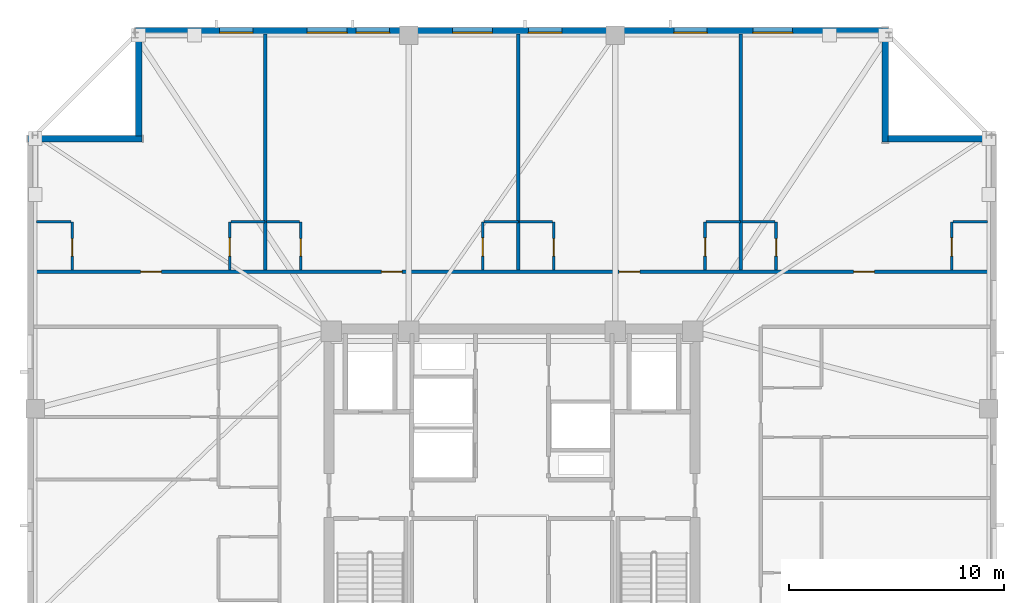
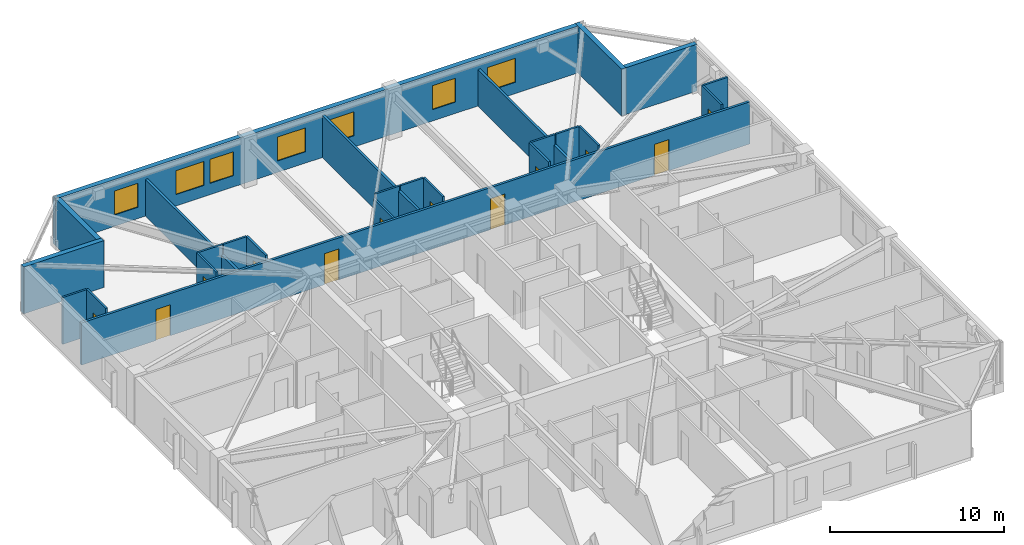
# One storey, part 11 of 17: 25 walls, 12 doors, 7 windows, 19 openings.
"""IFC4 building model written with IfcOpenShell, lengths in metres."""

from ifc_helpers import new_model, si_unit, direction, frame, frame_2d, origin, place, context, subcontext, project, spatial, rectangle, extrude, material, layer, layer_set, type_object, element, fill, save


model = new_model("IFC4")

# Units and contexts
model_context = context("Model", 3, precision=1e-05, world=origin(), true_north=direction((0.0, 1.0)))
body_context = subcontext(model_context, "Body", "Model", "MODEL_VIEW")
ifc_project = project(units=[si_unit("LENGTHUNIT", "METRE"), si_unit("AREAUNIT", "SQUARE_METRE"), si_unit("VOLUMEUNIT", "CUBIC_METRE"), si_unit("PLANEANGLEUNIT", "RADIAN"), si_unit("MASSUNIT", "GRAM", prefix="KILO")], contexts=[model_context])

# Site, building, storey
site_placement = place(None, origin())
site = spatial("IfcSite", under=ifc_project, at=site_placement, CompositionType="ELEMENT")
building_placement = place(site_placement, origin())
building = spatial("IfcBuilding", under=site, at=building_placement, Name="Cairnveth Concourse Tower", CompositionType="ELEMENT")
storey_placement = place(building_placement, frame((0.0, 0.0, 262.0)))
storey = spatial("IfcBuildingStorey", under=building, at=storey_placement, Name="L72", CompositionType="ELEMENT", Elevation=262.0)

# Wall, openings, doors
ifc_material_1 = material(Name="Gypsum Plasterboard Partition", Category="gypsum")
ifc_layer_1 = layer(ifc_material_1, 0.159912109375)
ifc_layer_set_1 = layer_set([ifc_layer_1], Name="Gypsum Plasterboard Partition")
wall_type_1 = type_object("IfcWallType", Name="ACOUSTIC PARTY WALL 180", PredefinedType="PARTITIONING", material=ifc_layer_set_1)
wall_1_placement = place(storey_placement, frame((29.804931640625, 50.152587890625, 0.0), z_axis=(0.0, 0.0, 1.0), x_axis=(1.0, 0.0, 0.0)))
wall_1 = element("IfcWall", 1, at=wall_1_placement, inside=storey, type_object=wall_type_1, Name="Interior Wall IW-L72-035", PredefinedType="PARTITIONING", context=body_context, shape_type="SweptSolid", body=[
    extrude(rectangle(XDim=44.39013671875, YDim=0.159912109375, at=frame_2d((22.195068359375, 0.0))), origin(), (0.0, 0.0, 1.0), 2.9580078125),
])
opening_1_placement = place(wall_1_placement, frame((4.94384765625, 0.0, 0.0)))
opening_1 = element("IfcOpeningElement", 2, at=opening_1_placement, cuts=wall_1, Name="Opening ID10", PredefinedType="OPENING", context=body_context, shape_type="SweptSolid", body=[
    extrude(rectangle(XDim=0.9599609375, YDim=2.179931640625, at=frame_2d((0.47998046875, 1.08984375))), frame((0.0, 0.08984375, 0.0), z_axis=(0.0, -1.0, 0.0), x_axis=(1.0, 0.0, 0.0)), (0.0, 0.0, 1.0), 0.179931640625),
])
opening_2_placement = place(wall_1_placement, frame((16.1298828125, 0.0, 0.0)))
opening_2 = element("IfcOpeningElement", 3, at=opening_2_placement, cuts=wall_1, Name="Opening ID10", PredefinedType="OPENING", context=body_context, shape_type="SweptSolid", body=[
    extrude(rectangle(XDim=0.9599609375, YDim=2.179931640625, at=frame_2d((0.47998046875, 1.08984375))), frame((0.0, 0.08984375, 0.0), z_axis=(0.0, -1.0, 0.0), x_axis=(1.0, 0.0, 0.0)), (0.0, 0.0, 1.0), 0.179931640625),
])
opening_3_placement = place(wall_1_placement, frame((27.169921875, 0.0, 0.0)))
opening_3 = element("IfcOpeningElement", 4, at=opening_3_placement, cuts=wall_1, Name="Opening ID10", PredefinedType="OPENING", context=body_context, shape_type="SweptSolid", body=[
    extrude(rectangle(XDim=0.9599609375, YDim=2.179931640625, at=frame_2d((0.47998046875, 1.08984375))), frame((0.0, 0.08984375, 0.0), z_axis=(0.0, -1.0, 0.0), x_axis=(1.0, 0.0, 0.0)), (0.0, 0.0, 1.0), 0.179931640625),
])
opening_4_placement = place(wall_1_placement, frame((38.063720703125, 0.0, 0.0)))
opening_4 = element("IfcOpeningElement", 5, at=opening_4_placement, cuts=wall_1, Name="Opening ID10", PredefinedType="OPENING", context=body_context, shape_type="SweptSolid", body=[
    extrude(rectangle(XDim=0.9599609375, YDim=2.179931640625, at=frame_2d((0.47998046875, 1.08984375))), frame((0.0, 0.08984375, 0.0), z_axis=(0.0, -1.0, 0.0), x_axis=(1.0, 0.0, 0.0)), (0.0, 0.0, 1.0), 0.179931640625),
])
ifc_material_2 = material(Name="Solid Core Hardwood Timber Leaf", Category="wood")
door_type_1 = type_object("IfcDoorType", Name="FLAT ENTRANCE DOOR 960X2150", OperationType="NOTDEFINED", PredefinedType="DOOR", material=ifc_material_2)
door_1_placement = place(opening_1_placement, origin())
door_1 = element("IfcDoor", 6, at=door_1_placement, inside=storey, type_object=door_type_1, Name="Studio L72STN1 Entrance Door", OperationType="SINGLE_SWING_RIGHT", OverallHeight=2.179931640625, OverallWidth=0.9599609375, PredefinedType="DOOR", context=body_context, shape_type="SweptSolid", body=[
    extrude(rectangle(XDim=0.9599609375, YDim=2.179931640625, at=frame_2d((0.47998046875, 1.08984375))), frame((0.0, 0.02490234375, 0.0), z_axis=(0.0, -1.0, 0.0), x_axis=(1.0, 0.0, 0.0)), (0.0, 0.0, 1.0), 0.050048828125),
])
fill(opening_1, door_1)
door_2_placement = place(opening_2_placement, origin())
door_2 = element("IfcDoor", 7, at=door_2_placement, inside=storey, type_object=door_type_1, Name="Studio L72STN2 Entrance Door", OperationType="SINGLE_SWING_LEFT", OverallHeight=2.179931640625, OverallWidth=0.9599609375, PredefinedType="DOOR", context=body_context, shape_type="SweptSolid", body=[
    extrude(rectangle(XDim=0.9599609375, YDim=2.179931640625, at=frame_2d((0.47998046875, 1.08984375))), frame((0.0, 0.02490234375, 0.0), z_axis=(0.0, -1.0, 0.0), x_axis=(1.0, 0.0, 0.0)), (0.0, 0.0, 1.0), 0.050048828125),
])
fill(opening_2, door_2)
door_3_placement = place(opening_3_placement, origin())
door_3 = element("IfcDoor", 8, at=door_3_placement, inside=storey, type_object=door_type_1, Name="Studio L72STN3 Entrance Door", OperationType="SINGLE_SWING_RIGHT", OverallHeight=2.179931640625, OverallWidth=0.9599609375, PredefinedType="DOOR", context=body_context, shape_type="SweptSolid", body=[
    extrude(rectangle(XDim=0.9599609375, YDim=2.179931640625, at=frame_2d((0.47998046875, 1.08984375))), frame((0.0, 0.02490234375, 0.0), z_axis=(0.0, -1.0, 0.0), x_axis=(1.0, 0.0, 0.0)), (0.0, 0.0, 1.0), 0.050048828125),
])
fill(opening_3, door_3)
door_4_placement = place(opening_4_placement, origin())
door_4 = element("IfcDoor", 9, at=door_4_placement, inside=storey, type_object=door_type_1, Name="Studio L72STN4 Entrance Door", OperationType="SINGLE_SWING_LEFT", OverallHeight=2.179931640625, OverallWidth=0.9599609375, PredefinedType="DOOR", context=body_context, shape_type="SweptSolid", body=[
    extrude(rectangle(XDim=0.9599609375, YDim=2.179931640625, at=frame_2d((0.47998046875, 1.08984375))), frame((0.0, 0.02490234375, 0.0), z_axis=(0.0, -1.0, 0.0), x_axis=(1.0, 0.0, 0.0)), (0.0, 0.0, 1.0), 0.050048828125),
])
fill(opening_4, door_4)

# Walls
wall_2_placement = place(storey_placement, frame((40.53759765625, 50.232421875, 0.0), z_axis=(0.0, 0.0, 1.0), x_axis=(0.0, 1.0, 0.0)))
element("IfcWall", 10, at=wall_2_placement, inside=storey, type_object=wall_type_1, Name="Interior Wall IW-L72-076", PredefinedType="PARTITIONING", context=body_context, shape_type="SweptSolid", body=[
    extrude(rectangle(XDim=10.962646484375, YDim=0.159912109375, at=frame_2d((5.4814453125, 0.0))), origin(), (0.0, 0.0, 1.0), 2.572998046875),
])
wall_3_placement = place(storey_placement, frame((52.29248046875, 50.232421875, 0.0), z_axis=(0.0, 0.0, 1.0), x_axis=(0.0, 1.0, 0.0)))
element("IfcWall", 11, at=wall_3_placement, inside=storey, type_object=wall_type_1, Name="Interior Wall IW-L72-081", PredefinedType="PARTITIONING", context=body_context, shape_type="SweptSolid", body=[
    extrude(rectangle(XDim=10.962646484375, YDim=0.159912109375, at=frame_2d((5.4814453125, 0.0))), origin(), (0.0, 0.0, 1.0), 2.9580078125),
])
wall_4_placement = place(storey_placement, frame((62.617431640625, 50.232421875, 0.0), z_axis=(0.0, 0.0, 1.0), x_axis=(0.0, 1.0, 0.0)))
element("IfcWall", 12, at=wall_4_placement, inside=storey, type_object=wall_type_1, Name="Interior Wall IW-L72-086", PredefinedType="PARTITIONING", context=body_context, shape_type="SweptSolid", body=[
    extrude(rectangle(XDim=10.962646484375, YDim=0.159912109375, at=frame_2d((5.4814453125, 0.0))), origin(), (0.0, 0.0, 1.0), 2.572998046875),
])

# Wall, opening, door
ifc_layer_2 = layer(ifc_material_1, 0.1298828125)
ifc_layer_set_2 = layer_set([ifc_layer_2], Name="Gypsum Plasterboard Partition")
wall_type_2 = type_object("IfcWallType", Name="WET AREA PARTITION 140", PredefinedType="PLUMBINGWALL", material=ifc_layer_set_2)
wall_5_placement = place(storey_placement, frame((31.570068359375, 50.232421875, 0.0), z_axis=(0.0, 0.0, 1.0), x_axis=(0.0, 1.0, 0.0)))
wall_5 = element("IfcWall", 13, at=wall_5_placement, inside=storey, type_object=wall_type_2, Name="Interior Wall IW-L72-072", PredefinedType="PLUMBINGWALL", context=body_context, shape_type="SweptSolid", body=[
    extrude(rectangle(XDim=2.25, YDim=0.1298828125, at=frame_2d((1.125, 0.0))), origin(), (0.0, 0.0, 1.0), 3.2900390625),
])
opening_5_placement = place(wall_5_placement, frame((0.64990234375, 0.0, 0.0)))
opening_5 = element("IfcOpeningElement", 14, at=opening_5_placement, cuts=wall_5, Name="Opening ID22", PredefinedType="OPENING", context=body_context, shape_type="SweptSolid", body=[
    extrude(rectangle(XDim=0.820068359375, YDim=2.10009765625, at=frame_2d((0.41015625, 1.050048828125))), frame((0.0, 0.074951171875, 0.0), z_axis=(0.0, -1.0, 0.0), x_axis=(1.0, 0.0, 0.0)), (0.0, 0.0, 1.0), 0.14990234375),
])
door_type_2 = type_object("IfcDoorType", Name="INTERIOR WC DOOR 820X2100", OperationType="NOTDEFINED", PredefinedType="DOOR", material=ifc_material_2)
door_5_placement = place(opening_5_placement, origin())
door_5 = element("IfcDoor", 15, at=door_5_placement, inside=storey, type_object=door_type_2, Name="L72STN1 Bathroom Door", OperationType="SINGLE_SWING_RIGHT", OverallHeight=2.10009765625, OverallWidth=0.820068359375, PredefinedType="DOOR", context=body_context, shape_type="SweptSolid", body=[
    extrude(rectangle(XDim=0.820068359375, YDim=2.10009765625, at=frame_2d((0.41015625, 1.050048828125))), frame((0.0, 0.02490234375, 0.0), z_axis=(0.0, -1.0, 0.0), x_axis=(1.0, 0.0, 0.0)), (0.0, 0.0, 1.0), 0.050048828125),
])
fill(opening_5, door_5)

# Wall
wall_6_placement = place(storey_placement, frame((29.919921875, 52.482421875, 0.0), z_axis=(0.0, 0.0, 1.0), x_axis=(1.0, 0.0, 0.0)))
element("IfcWall", 16, at=wall_6_placement, inside=storey, type_object=wall_type_2, Name="Interior Wall IW-L72-073", PredefinedType="PLUMBINGWALL", context=body_context, shape_type="SweptSolid", body=[
    extrude(rectangle(XDim=1.60009765625, YDim=0.1298828125, at=frame_2d((0.800048828125, 0.0))), origin(), (0.0, 0.0, 1.0), 3.2900390625),
])

# Wall, opening, door
wall_7_placement = place(storey_placement, frame((38.887451171875, 50.232421875, 0.0), z_axis=(0.0, 0.0, 1.0), x_axis=(0.0, 1.0, 0.0)))
wall_7 = element("IfcWall", 17, at=wall_7_placement, inside=storey, type_object=wall_type_2, Name="Interior Wall IW-L72-074", PredefinedType="PLUMBINGWALL", context=body_context, shape_type="SweptSolid", body=[
    extrude(rectangle(XDim=2.25, YDim=0.1298828125, at=frame_2d((1.125, 0.0))), origin(), (0.0, 0.0, 1.0), 3.2900390625),
])
opening_6_placement = place(wall_7_placement, frame((0.64990234375, 0.0, 0.0)))
opening_6 = element("IfcOpeningElement", 18, at=opening_6_placement, cuts=wall_7, Name="Opening ID20", PredefinedType="OPENING", context=body_context, shape_type="SweptSolid", body=[
    extrude(rectangle(XDim=0.85009765625, YDim=2.10009765625, at=frame_2d((0.425048828125, 1.050048828125))), frame((0.0, 0.074951171875, 0.0), z_axis=(0.0, -1.0, 0.0), x_axis=(1.0, 0.0, 0.0)), (0.0, 0.0, 1.0), 0.14990234375),
])
door_type_3 = type_object("IfcDoorType", Name="INTERIOR SINGLE DOOR 850X2100", OperationType="NOTDEFINED", PredefinedType="DOOR", material=ifc_material_2)
door_6_placement = place(opening_6_placement, origin())
door_6 = element("IfcDoor", 19, at=door_6_placement, inside=storey, type_object=door_type_3, Name="L72STN1 Kitchen Door", OperationType="SINGLE_SWING_LEFT", OverallHeight=2.10009765625, OverallWidth=0.85009765625, PredefinedType="DOOR", context=body_context, shape_type="SweptSolid", body=[
    extrude(rectangle(XDim=0.85009765625, YDim=2.10009765625, at=frame_2d((0.425048828125, 1.050048828125))), frame((0.0, 0.02490234375, 0.0), z_axis=(0.0, -1.0, 0.0), x_axis=(1.0, 0.0, 0.0)), (0.0, 0.0, 1.0), 0.050048828125),
])
fill(opening_6, door_6)

# Wall
wall_8_placement = place(storey_placement, frame((38.9375, 52.482421875, 0.0), z_axis=(0.0, 0.0, 1.0), x_axis=(1.0, 0.0, 0.0)))
element("IfcWall", 20, at=wall_8_placement, inside=storey, type_object=wall_type_2, Name="Interior Wall IW-L72-075", PredefinedType="PLUMBINGWALL", context=body_context, shape_type="SweptSolid", body=[
    extrude(rectangle(XDim=1.60009765625, YDim=0.1298828125, at=frame_2d((0.800048828125, 0.0))), origin(), (0.0, 0.0, 1.0), 3.2900390625),
])

# Wall, opening, door
wall_9_placement = place(storey_placement, frame((42.1875, 50.232421875, 0.0), z_axis=(0.0, 0.0, 1.0), x_axis=(0.0, 1.0, 0.0)))
wall_9 = element("IfcWall", 21, at=wall_9_placement, inside=storey, type_object=wall_type_2, Name="Interior Wall IW-L72-077", PredefinedType="PLUMBINGWALL", context=body_context, shape_type="SweptSolid", body=[
    extrude(rectangle(XDim=2.25, YDim=0.1298828125, at=frame_2d((1.125, 0.0))), origin(), (0.0, 0.0, 1.0), 3.2900390625),
])
opening_7_placement = place(wall_9_placement, frame((0.64990234375, 0.0, 0.0)))
opening_7 = element("IfcOpeningElement", 22, at=opening_7_placement, cuts=wall_9, Name="Opening ID22", PredefinedType="OPENING", context=body_context, shape_type="SweptSolid", body=[
    extrude(rectangle(XDim=0.820068359375, YDim=2.10009765625, at=frame_2d((0.41015625, 1.050048828125))), frame((0.0, 0.074951171875, 0.0), z_axis=(0.0, -1.0, 0.0), x_axis=(1.0, 0.0, 0.0)), (0.0, 0.0, 1.0), 0.14990234375),
])
door_7_placement = place(opening_7_placement, origin())
door_7 = element("IfcDoor", 23, at=door_7_placement, inside=storey, type_object=door_type_2, Name="L72STN2 Bathroom Door", OperationType="SINGLE_SWING_LEFT", OverallHeight=2.10009765625, OverallWidth=0.820068359375, PredefinedType="DOOR", context=body_context, shape_type="SweptSolid", body=[
    extrude(rectangle(XDim=0.820068359375, YDim=2.10009765625, at=frame_2d((0.41015625, 1.050048828125))), frame((0.0, 0.02490234375, 0.0), z_axis=(0.0, -1.0, 0.0), x_axis=(1.0, 0.0, 0.0)), (0.0, 0.0, 1.0), 0.050048828125),
])
fill(opening_7, door_7)

# Wall
wall_10_placement = place(storey_placement, frame((40.6025390625, 52.482421875, 0.0), z_axis=(0.0, 0.0, 1.0), x_axis=(1.0, 0.0, 0.0)))
element("IfcWall", 24, at=wall_10_placement, inside=storey, type_object=wall_type_2, Name="Interior Wall IW-L72-078", PredefinedType="PLUMBINGWALL", context=body_context, shape_type="SweptSolid", body=[
    extrude(rectangle(XDim=1.534912109375, YDim=0.1298828125, at=frame_2d((0.767578125, 0.0))), origin(), (0.0, 0.0, 1.0), 3.2900390625),
])

# Wall, opening, door
wall_11_placement = place(storey_placement, frame((50.642578125, 50.232421875, 0.0), z_axis=(0.0, 0.0, 1.0), x_axis=(0.0, 1.0, 0.0)))
wall_11 = element("IfcWall", 25, at=wall_11_placement, inside=storey, type_object=wall_type_2, Name="Interior Wall IW-L72-079", PredefinedType="PLUMBINGWALL", context=body_context, shape_type="SweptSolid", body=[
    extrude(rectangle(XDim=2.25, YDim=0.1298828125, at=frame_2d((1.125, 0.0))), origin(), (0.0, 0.0, 1.0), 2.9580078125),
])
opening_8_placement = place(wall_11_placement, frame((0.64990234375, 0.0, 0.0)))
opening_8 = element("IfcOpeningElement", 26, at=opening_8_placement, cuts=wall_11, Name="Opening ID20", PredefinedType="OPENING", context=body_context, shape_type="SweptSolid", body=[
    extrude(rectangle(XDim=0.85009765625, YDim=2.10009765625, at=frame_2d((0.425048828125, 1.050048828125))), frame((0.0, 0.074951171875, 0.0), z_axis=(0.0, -1.0, 0.0), x_axis=(1.0, 0.0, 0.0)), (0.0, 0.0, 1.0), 0.14990234375),
])
door_8_placement = place(opening_8_placement, origin())
door_8 = element("IfcDoor", 27, at=door_8_placement, inside=storey, type_object=door_type_3, Name="L72STN2 Kitchen Door", OperationType="SINGLE_SWING_RIGHT", OverallHeight=2.10009765625, OverallWidth=0.85009765625, PredefinedType="DOOR", context=body_context, shape_type="SweptSolid", body=[
    extrude(rectangle(XDim=0.85009765625, YDim=2.10009765625, at=frame_2d((0.425048828125, 1.050048828125))), frame((0.0, 0.02490234375, 0.0), z_axis=(0.0, -1.0, 0.0), x_axis=(1.0, 0.0, 0.0)), (0.0, 0.0, 1.0), 0.050048828125),
])
fill(opening_8, door_8)

# Wall
wall_12_placement = place(storey_placement, frame((50.6923828125, 52.482421875, 0.0), z_axis=(0.0, 0.0, 1.0), x_axis=(1.0, 0.0, 0.0)))
element("IfcWall", 28, at=wall_12_placement, inside=storey, type_object=wall_type_2, Name="Interior Wall IW-L72-080", PredefinedType="PLUMBINGWALL", context=body_context, shape_type="SweptSolid", body=[
    extrude(rectangle(XDim=1.60009765625, YDim=0.1298828125, at=frame_2d((0.800048828125, 0.0))), origin(), (0.0, 0.0, 1.0), 3.2900390625),
])

# Wall, opening, door
wall_13_placement = place(storey_placement, frame((53.9423828125, 50.232421875, 0.0), z_axis=(0.0, 0.0, 1.0), x_axis=(0.0, 1.0, 0.0)))
wall_13 = element("IfcWall", 29, at=wall_13_placement, inside=storey, type_object=wall_type_2, Name="Interior Wall IW-L72-082", PredefinedType="PLUMBINGWALL", context=body_context, shape_type="SweptSolid", body=[
    extrude(rectangle(XDim=2.25, YDim=0.1298828125, at=frame_2d((1.125, 0.0))), origin(), (0.0, 0.0, 1.0), 3.2900390625),
])
opening_9_placement = place(wall_13_placement, frame((0.64990234375, 0.0, 0.0)))
opening_9 = element("IfcOpeningElement", 30, at=opening_9_placement, cuts=wall_13, Name="Opening ID22", PredefinedType="OPENING", context=body_context, shape_type="SweptSolid", body=[
    extrude(rectangle(XDim=0.820068359375, YDim=2.10009765625, at=frame_2d((0.41015625, 1.050048828125))), frame((0.0, 0.074951171875, 0.0), z_axis=(0.0, -1.0, 0.0), x_axis=(1.0, 0.0, 0.0)), (0.0, 0.0, 1.0), 0.14990234375),
])
door_9_placement = place(opening_9_placement, origin())
door_9 = element("IfcDoor", 31, at=door_9_placement, inside=storey, type_object=door_type_2, Name="L72STN3 Bathroom Door", OperationType="SINGLE_SWING_RIGHT", OverallHeight=2.10009765625, OverallWidth=0.820068359375, PredefinedType="DOOR", context=body_context, shape_type="SweptSolid", body=[
    extrude(rectangle(XDim=0.820068359375, YDim=2.10009765625, at=frame_2d((0.41015625, 1.050048828125))), frame((0.0, 0.02490234375, 0.0), z_axis=(0.0, -1.0, 0.0), x_axis=(1.0, 0.0, 0.0)), (0.0, 0.0, 1.0), 0.050048828125),
])
fill(opening_9, door_9)

# Wall
wall_14_placement = place(storey_placement, frame((52.357421875, 52.482421875, 0.0), z_axis=(0.0, 0.0, 1.0), x_axis=(1.0, 0.0, 0.0)))
element("IfcWall", 32, at=wall_14_placement, inside=storey, type_object=wall_type_2, Name="Interior Wall IW-L72-083", PredefinedType="PLUMBINGWALL", context=body_context, shape_type="SweptSolid", body=[
    extrude(rectangle(XDim=1.53515625, YDim=0.1298828125, at=frame_2d((0.767578125, 0.0))), origin(), (0.0, 0.0, 1.0), 3.2900390625),
])

# Wall, opening, door
wall_15_placement = place(storey_placement, frame((60.967529296875, 50.232421875, 0.0), z_axis=(0.0, 0.0, 1.0), x_axis=(0.0, 1.0, 0.0)))
wall_15 = element("IfcWall", 33, at=wall_15_placement, inside=storey, type_object=wall_type_2, Name="Interior Wall IW-L72-084", PredefinedType="PLUMBINGWALL", context=body_context, shape_type="SweptSolid", body=[
    extrude(rectangle(XDim=2.25, YDim=0.1298828125, at=frame_2d((1.125, 0.0))), origin(), (0.0, 0.0, 1.0), 3.2900390625),
])
opening_10_placement = place(wall_15_placement, frame((0.64990234375, 0.0, 0.0)))
opening_10 = element("IfcOpeningElement", 34, at=opening_10_placement, cuts=wall_15, Name="Opening ID20", PredefinedType="OPENING", context=body_context, shape_type="SweptSolid", body=[
    extrude(rectangle(XDim=0.85009765625, YDim=2.10009765625, at=frame_2d((0.425048828125, 1.050048828125))), frame((0.0, 0.074951171875, 0.0), z_axis=(0.0, -1.0, 0.0), x_axis=(1.0, 0.0, 0.0)), (0.0, 0.0, 1.0), 0.14990234375),
])
door_10_placement = place(opening_10_placement, origin())
door_10 = element("IfcDoor", 35, at=door_10_placement, inside=storey, type_object=door_type_3, Name="L72STN3 Kitchen Door", OperationType="SINGLE_SWING_LEFT", OverallHeight=2.10009765625, OverallWidth=0.85009765625, PredefinedType="DOOR", context=body_context, shape_type="SweptSolid", body=[
    extrude(rectangle(XDim=0.85009765625, YDim=2.10009765625, at=frame_2d((0.425048828125, 1.050048828125))), frame((0.0, 0.02490234375, 0.0), z_axis=(0.0, -1.0, 0.0), x_axis=(1.0, 0.0, 0.0)), (0.0, 0.0, 1.0), 0.050048828125),
])
fill(opening_10, door_10)

# Wall
wall_16_placement = place(storey_placement, frame((61.017578125, 52.482421875, 0.0), z_axis=(0.0, 0.0, 1.0), x_axis=(1.0, 0.0, 0.0)))
element("IfcWall", 36, at=wall_16_placement, inside=storey, type_object=wall_type_2, Name="Interior Wall IW-L72-085", PredefinedType="PLUMBINGWALL", context=body_context, shape_type="SweptSolid", body=[
    extrude(rectangle(XDim=1.599853515625, YDim=0.1298828125, at=frame_2d((0.7998046875, 0.0))), origin(), (0.0, 0.0, 1.0), 3.2900390625),
])

# Wall, opening, door
wall_17_placement = place(storey_placement, frame((64.267578125, 50.232421875, 0.0), z_axis=(0.0, 0.0, 1.0), x_axis=(0.0, 1.0, 0.0)))
wall_17 = element("IfcWall", 37, at=wall_17_placement, inside=storey, type_object=wall_type_2, Name="Interior Wall IW-L72-087", PredefinedType="PLUMBINGWALL", context=body_context, shape_type="SweptSolid", body=[
    extrude(rectangle(XDim=2.25, YDim=0.1298828125, at=frame_2d((1.125, 0.0))), origin(), (0.0, 0.0, 1.0), 3.2900390625),
])
opening_11_placement = place(wall_17_placement, frame((0.64990234375, 0.0, 0.0)))
opening_11 = element("IfcOpeningElement", 38, at=opening_11_placement, cuts=wall_17, Name="Opening ID22", PredefinedType="OPENING", context=body_context, shape_type="SweptSolid", body=[
    extrude(rectangle(XDim=0.820068359375, YDim=2.10009765625, at=frame_2d((0.41015625, 1.050048828125))), frame((0.0, 0.074951171875, 0.0), z_axis=(0.0, -1.0, 0.0), x_axis=(1.0, 0.0, 0.0)), (0.0, 0.0, 1.0), 0.14990234375),
])
door_11_placement = place(opening_11_placement, origin())
door_11 = element("IfcDoor", 39, at=door_11_placement, inside=storey, type_object=door_type_2, Name="L72STN4 Bathroom Door", OperationType="SINGLE_SWING_LEFT", OverallHeight=2.10009765625, OverallWidth=0.820068359375, PredefinedType="DOOR", context=body_context, shape_type="SweptSolid", body=[
    extrude(rectangle(XDim=0.820068359375, YDim=2.10009765625, at=frame_2d((0.41015625, 1.050048828125))), frame((0.0, 0.02490234375, 0.0), z_axis=(0.0, -1.0, 0.0), x_axis=(1.0, 0.0, 0.0)), (0.0, 0.0, 1.0), 0.050048828125),
])
fill(opening_11, door_11)

# Wall
wall_18_placement = place(storey_placement, frame((62.6826171875, 52.482421875, 0.0), z_axis=(0.0, 0.0, 1.0), x_axis=(1.0, 0.0, 0.0)))
element("IfcWall", 40, at=wall_18_placement, inside=storey, type_object=wall_type_2, Name="Interior Wall IW-L72-088", PredefinedType="PLUMBINGWALL", context=body_context, shape_type="SweptSolid", body=[
    extrude(rectangle(XDim=1.534912109375, YDim=0.1298828125, at=frame_2d((0.767578125, 0.0))), origin(), (0.0, 0.0, 1.0), 3.2900390625),
])

# Wall, opening, door
wall_19_placement = place(storey_placement, frame((72.429931640625, 50.232421875, 0.0), z_axis=(0.0, 0.0, 1.0), x_axis=(0.0, 1.0, 0.0)))
wall_19 = element("IfcWall", 41, at=wall_19_placement, inside=storey, type_object=wall_type_2, Name="Interior Wall IW-L72-089", PredefinedType="PLUMBINGWALL", context=body_context, shape_type="SweptSolid", body=[
    extrude(rectangle(XDim=2.25, YDim=0.1298828125, at=frame_2d((1.125, 0.0))), origin(), (0.0, 0.0, 1.0), 3.2900390625),
])
opening_12_placement = place(wall_19_placement, frame((0.64990234375, 0.0, 0.0)))
opening_12 = element("IfcOpeningElement", 42, at=opening_12_placement, cuts=wall_19, Name="Opening ID20", PredefinedType="OPENING", context=body_context, shape_type="SweptSolid", body=[
    extrude(rectangle(XDim=0.85009765625, YDim=2.10009765625, at=frame_2d((0.425048828125, 1.050048828125))), frame((0.0, 0.074951171875, 0.0), z_axis=(0.0, -1.0, 0.0), x_axis=(1.0, 0.0, 0.0)), (0.0, 0.0, 1.0), 0.14990234375),
])
door_12_placement = place(opening_12_placement, origin())
door_12 = element("IfcDoor", 43, at=door_12_placement, inside=storey, type_object=door_type_3, Name="L72STN4 Kitchen Door", OperationType="SINGLE_SWING_RIGHT", OverallHeight=2.10009765625, OverallWidth=0.85009765625, PredefinedType="DOOR", context=body_context, shape_type="SweptSolid", body=[
    extrude(rectangle(XDim=0.85009765625, YDim=2.10009765625, at=frame_2d((0.425048828125, 1.050048828125))), frame((0.0, 0.02490234375, 0.0), z_axis=(0.0, -1.0, 0.0), x_axis=(1.0, 0.0, 0.0)), (0.0, 0.0, 1.0), 0.050048828125),
])
fill(opening_12, door_12)

# Walls
wall_20_placement = place(storey_placement, frame((72.47998046875, 52.482421875, 0.0), z_axis=(0.0, 0.0, 1.0), x_axis=(1.0, 0.0, 0.0)))
element("IfcWall", 44, at=wall_20_placement, inside=storey, type_object=wall_type_2, Name="Interior Wall IW-L72-090", PredefinedType="PLUMBINGWALL", context=body_context, shape_type="SweptSolid", body=[
    extrude(rectangle(XDim=1.60009765625, YDim=0.1298828125, at=frame_2d((0.800048828125, 0.0))), origin(), (0.0, 0.0, 1.0), 3.2900390625),
])
ifc_material_3 = material(Name="Melbourne Buff Fired Clay Brick Masonry", Category="masonry")
ifc_layer_3 = layer(ifc_material_3, 0.320068359375)
ifc_layer_set_3 = layer_set([ifc_layer_3], Name="Melbourne Buff Fired Clay Brick Masonry")
wall_type_3 = type_object("IfcWallType", Name="ZONE 3 BRICK PIER SPANDREL WALL 320", PredefinedType="SOLIDWALL", material=ifc_layer_set_3)
wall_21_placement = place(storey_placement, frame((29.5, 56.340087890625, 0.0), z_axis=(0.0, 0.0, 1.0), x_axis=(1.0, 0.0, 0.0)))
element("IfcWall", 45, at=wall_21_placement, inside=storey, type_object=wall_type_3, Name="Exterior Wall EW-L72-S04", PredefinedType="SOLIDWALL", context=body_context, shape_type="SweptSolid", body=[
    extrude(rectangle(XDim=5.320068359375, YDim=0.320068359375, at=frame_2d((2.66015625, 0.0))), origin(), (0.0, 0.0, 1.0), 3.2900390625),
])
wall_22_placement = place(storey_placement, frame((34.659912109375, 56.47802734375, 0.0), z_axis=(0.0, 0.0, 1.0), x_axis=(0.0, 1.0, 0.0)))
element("IfcWall", 46, at=wall_22_placement, inside=storey, type_object=wall_type_3, Name="Exterior Wall EW-L72-S05", PredefinedType="SOLIDWALL", context=body_context, shape_type="SweptSolid", body=[
    extrude(rectangle(XDim=4.723876953125, YDim=0.320068359375, at=frame_2d((2.36181640625, 0.0))), origin(), (0.0, 0.0, 1.0), 3.2900390625),
])

# Wall, openings, windows
wall_23_placement = place(storey_placement, frame((34.5, 61.340087890625, 0.0), z_axis=(0.0, 0.0, 1.0), x_axis=(1.0, 0.0, 0.0)))
wall_23 = element("IfcWall", 47, at=wall_23_placement, inside=storey, type_object=wall_type_3, Name="Exterior Wall EW-L72-S06", PredefinedType="SOLIDWALL", context=body_context, shape_type="SweptSolid", body=[
    extrude(rectangle(XDim=34.701904296875, YDim=0.320068359375, at=frame_2d((17.35107421875, 0.0))), origin(), (0.0, 0.0, 1.0), 3.2900390625),
])
opening_13_placement = place(wall_23_placement, frame((3.91259765625, 0.0, 0.800048828125)))
opening_13 = element("IfcOpeningElement", 48, at=opening_13_placement, cuts=wall_23, Name="Opening W07", PredefinedType="OPENING", context=body_context, shape_type="SweptSolid", body=[
    extrude(rectangle(XDim=1.550048828125, YDim=1.677978515625, at=frame_2d((0.77490234375, 0.8388671875))), frame((0.0, 0.169921875, 0.0), z_axis=(0.0, -1.0, 0.0), x_axis=(1.0, 0.0, 0.0)), (0.0, 0.0, 1.0), 0.340087890625),
])
opening_14_placement = place(wall_23_placement, frame((7.98779296875, 0.0, 0.800048828125)))
opening_14 = element("IfcOpeningElement", 49, at=opening_14_placement, cuts=wall_23, Name="Opening W08", PredefinedType="OPENING", context=body_context, shape_type="SweptSolid", body=[
    extrude(rectangle(XDim=1.85009765625, YDim=1.677978515625, at=frame_2d((0.925048828125, 0.8388671875))), frame((0.0, 0.169921875, 0.0), z_axis=(0.0, -1.0, 0.0), x_axis=(1.0, 0.0, 0.0)), (0.0, 0.0, 1.0), 0.340087890625),
])
opening_15_placement = place(wall_23_placement, frame((10.26318359375, 0.0, 0.800048828125)))
opening_15 = element("IfcOpeningElement", 50, at=opening_15_placement, cuts=wall_23, Name="Opening W07", PredefinedType="OPENING", context=body_context, shape_type="SweptSolid", body=[
    extrude(rectangle(XDim=1.550048828125, YDim=1.677978515625, at=frame_2d((0.77490234375, 0.8388671875))), frame((0.0, 0.169921875, 0.0), z_axis=(0.0, -1.0, 0.0), x_axis=(1.0, 0.0, 0.0)), (0.0, 0.0, 1.0), 0.340087890625),
])
opening_16_placement = place(wall_23_placement, frame((14.73828125, 0.0, 0.800048828125)))
opening_16 = element("IfcOpeningElement", 51, at=opening_16_placement, cuts=wall_23, Name="Opening W08", PredefinedType="OPENING", context=body_context, shape_type="SweptSolid", body=[
    extrude(rectangle(XDim=1.85009765625, YDim=1.677978515625, at=frame_2d((0.925048828125, 0.8388671875))), frame((0.0, 0.169921875, 0.0), z_axis=(0.0, -1.0, 0.0), x_axis=(1.0, 0.0, 0.0)), (0.0, 0.0, 1.0), 0.340087890625),
])
opening_17_placement = place(wall_23_placement, frame((18.263671875, 0.0, 0.800048828125)))
opening_17 = element("IfcOpeningElement", 52, at=opening_17_placement, cuts=wall_23, Name="Opening W07", PredefinedType="OPENING", context=body_context, shape_type="SweptSolid", body=[
    extrude(rectangle(XDim=1.550048828125, YDim=1.677978515625, at=frame_2d((0.77490234375, 0.8388671875))), frame((0.0, 0.169921875, 0.0), z_axis=(0.0, -1.0, 0.0), x_axis=(1.0, 0.0, 0.0)), (0.0, 0.0, 1.0), 0.340087890625),
])
opening_18_placement = place(wall_23_placement, frame((25.01416015625, 0.0, 0.800048828125)))
opening_18 = element("IfcOpeningElement", 53, at=opening_18_placement, cuts=wall_23, Name="Opening W07", PredefinedType="OPENING", context=body_context, shape_type="SweptSolid", body=[
    extrude(rectangle(XDim=1.550048828125, YDim=1.677978515625, at=frame_2d((0.77490234375, 0.8388671875))), frame((0.0, 0.169921875, 0.0), z_axis=(0.0, -1.0, 0.0), x_axis=(1.0, 0.0, 0.0)), (0.0, 0.0, 1.0), 0.340087890625),
])
opening_19_placement = place(wall_23_placement, frame((28.689453125, 0.0, 0.800048828125)))
opening_19 = element("IfcOpeningElement", 54, at=opening_19_placement, cuts=wall_23, Name="Opening W08", PredefinedType="OPENING", context=body_context, shape_type="SweptSolid", body=[
    extrude(rectangle(XDim=1.85009765625, YDim=1.677978515625, at=frame_2d((0.925048828125, 0.8388671875))), frame((0.0, 0.169921875, 0.0), z_axis=(0.0, -1.0, 0.0), x_axis=(1.0, 0.0, 0.0)), (0.0, 0.0, 1.0), 0.340087890625),
])
ifc_material_4 = material(Name="Double Glazed Low-E Clear Glass", Category="glass")
window_type_1 = type_object("IfcWindowType", Name="DEEP-SET APARTMENT LIVING WINDOW 1850X1850", PartitioningType="DOUBLE_PANEL_VERTICAL", PredefinedType="WINDOW", material=ifc_material_4)
window_1_placement = place(opening_14_placement, origin())
window_1 = element("IfcWindow", 55, at=window_1_placement, inside=storey, type_object=window_type_1, Name="Gothic Lancet Window L72-6-2", OverallHeight=1.677978515625, OverallWidth=1.85009765625, PartitioningType="SINGLE_PANEL", PredefinedType="WINDOW", context=body_context, shape_type="SweptSolid", body=[
    extrude(rectangle(XDim=1.85009765625, YDim=1.677978515625, at=frame_2d((0.925048828125, 0.8388671875))), frame((0.0, -0.050048828125, 0.0), z_axis=(0.0, -1.0, 0.0), x_axis=(1.0, 0.0, 0.0)), (0.0, 0.0, 1.0), 0.06005859375),
])
fill(opening_14, window_1)
window_2_placement = place(opening_16_placement, origin())
window_2 = element("IfcWindow", 56, at=window_2_placement, inside=storey, type_object=window_type_1, Name="Gothic Lancet Window L72-6-4", OverallHeight=1.677978515625, OverallWidth=1.85009765625, PartitioningType="SINGLE_PANEL", PredefinedType="WINDOW", context=body_context, shape_type="SweptSolid", body=[
    extrude(rectangle(XDim=1.85009765625, YDim=1.677978515625, at=frame_2d((0.925048828125, 0.8388671875))), frame((0.0, -0.050048828125, 0.0), z_axis=(0.0, -1.0, 0.0), x_axis=(1.0, 0.0, 0.0)), (0.0, 0.0, 1.0), 0.06005859375),
])
fill(opening_16, window_2)
window_3_placement = place(opening_19_placement, origin())
window_3 = element("IfcWindow", 57, at=window_3_placement, inside=storey, type_object=window_type_1, Name="Gothic Lancet Window L72-6-8", OverallHeight=1.677978515625, OverallWidth=1.85009765625, PartitioningType="SINGLE_PANEL", PredefinedType="WINDOW", context=body_context, shape_type="SweptSolid", body=[
    extrude(rectangle(XDim=1.85009765625, YDim=1.677978515625, at=frame_2d((0.925048828125, 0.8388671875))), frame((0.0, -0.050048828125, 0.0), z_axis=(0.0, -1.0, 0.0), x_axis=(1.0, 0.0, 0.0)), (0.0, 0.0, 1.0), 0.06005859375),
])
fill(opening_19, window_3)
window_type_2 = type_object("IfcWindowType", Name="DEEP-SET APARTMENT WINDOW 1550X1800", PartitioningType="DOUBLE_PANEL_VERTICAL", PredefinedType="WINDOW", material=ifc_material_4)
window_4_placement = place(opening_13_placement, origin())
window_4 = element("IfcWindow", 58, at=window_4_placement, inside=storey, type_object=window_type_2, Name="Gothic Lancet Window L72-6-1", OverallHeight=1.677978515625, OverallWidth=1.550048828125, PartitioningType="SINGLE_PANEL", PredefinedType="WINDOW", context=body_context, shape_type="SweptSolid", body=[
    extrude(rectangle(XDim=1.550048828125, YDim=1.677978515625, at=frame_2d((0.77490234375, 0.8388671875))), frame((0.0, -0.050048828125, 0.0), z_axis=(0.0, -1.0, 0.0), x_axis=(1.0, 0.0, 0.0)), (0.0, 0.0, 1.0), 0.06005859375),
])
fill(opening_13, window_4)
window_5_placement = place(opening_15_placement, origin())
window_5 = element("IfcWindow", 59, at=window_5_placement, inside=storey, type_object=window_type_2, Name="Gothic Lancet Window L72-6-3", OverallHeight=1.677978515625, OverallWidth=1.550048828125, PartitioningType="SINGLE_PANEL", PredefinedType="WINDOW", context=body_context, shape_type="SweptSolid", body=[
    extrude(rectangle(XDim=1.550048828125, YDim=1.677978515625, at=frame_2d((0.77490234375, 0.8388671875))), frame((0.0, -0.050048828125, 0.0), z_axis=(0.0, -1.0, 0.0), x_axis=(1.0, 0.0, 0.0)), (0.0, 0.0, 1.0), 0.06005859375),
])
fill(opening_15, window_5)
window_6_placement = place(opening_17_placement, origin())
window_6 = element("IfcWindow", 60, at=window_6_placement, inside=storey, type_object=window_type_2, Name="Gothic Lancet Window L72-6-5", OverallHeight=1.677978515625, OverallWidth=1.550048828125, PartitioningType="SINGLE_PANEL", PredefinedType="WINDOW", context=body_context, shape_type="SweptSolid", body=[
    extrude(rectangle(XDim=1.550048828125, YDim=1.677978515625, at=frame_2d((0.77490234375, 0.8388671875))), frame((0.0, -0.050048828125, 0.0), z_axis=(0.0, -1.0, 0.0), x_axis=(1.0, 0.0, 0.0)), (0.0, 0.0, 1.0), 0.06005859375),
])
fill(opening_17, window_6)
window_7_placement = place(opening_18_placement, origin())
window_7 = element("IfcWindow", 61, at=window_7_placement, inside=storey, type_object=window_type_2, Name="Gothic Lancet Window L72-6-7", OverallHeight=1.677978515625, OverallWidth=1.550048828125, PartitioningType="SINGLE_PANEL", PredefinedType="WINDOW", context=body_context, shape_type="SweptSolid", body=[
    extrude(rectangle(XDim=1.550048828125, YDim=1.677978515625, at=frame_2d((0.77490234375, 0.8388671875))), frame((0.0, -0.050048828125, 0.0), z_axis=(0.0, -1.0, 0.0), x_axis=(1.0, 0.0, 0.0)), (0.0, 0.0, 1.0), 0.06005859375),
])
fill(opening_18, window_7)

# Walls
wall_24_placement = place(storey_placement, frame((69.340087890625, 61.5, 0.0), z_axis=(0.0, 0.0, 1.0), x_axis=(0.0, -1.0, 0.0)))
element("IfcWall", 62, at=wall_24_placement, inside=storey, type_object=wall_type_3, Name="Exterior Wall EW-L72-S07", PredefinedType="SOLIDWALL", context=body_context, shape_type="SweptSolid", body=[
    extrude(rectangle(XDim=5.320068359375, YDim=0.320068359375, at=frame_2d((2.66015625, 0.0))), origin(), (0.0, 0.0, 1.0), 3.2900390625),
])
wall_25_placement = place(storey_placement, frame((69.47802734375, 56.340087890625, 0.0), z_axis=(0.0, 0.0, 1.0), x_axis=(1.0, 0.0, 0.0)))
element("IfcWall", 63, at=wall_25_placement, inside=storey, type_object=wall_type_3, Name="Exterior Wall EW-L72-S08", PredefinedType="SOLIDWALL", context=body_context, shape_type="SweptSolid", body=[
    extrude(rectangle(XDim=4.723876953125, YDim=0.320068359375, at=frame_2d((2.36181640625, 0.0))), origin(), (0.0, 0.0, 1.0), 3.2900390625),
])

save(model, "model.ifc")
